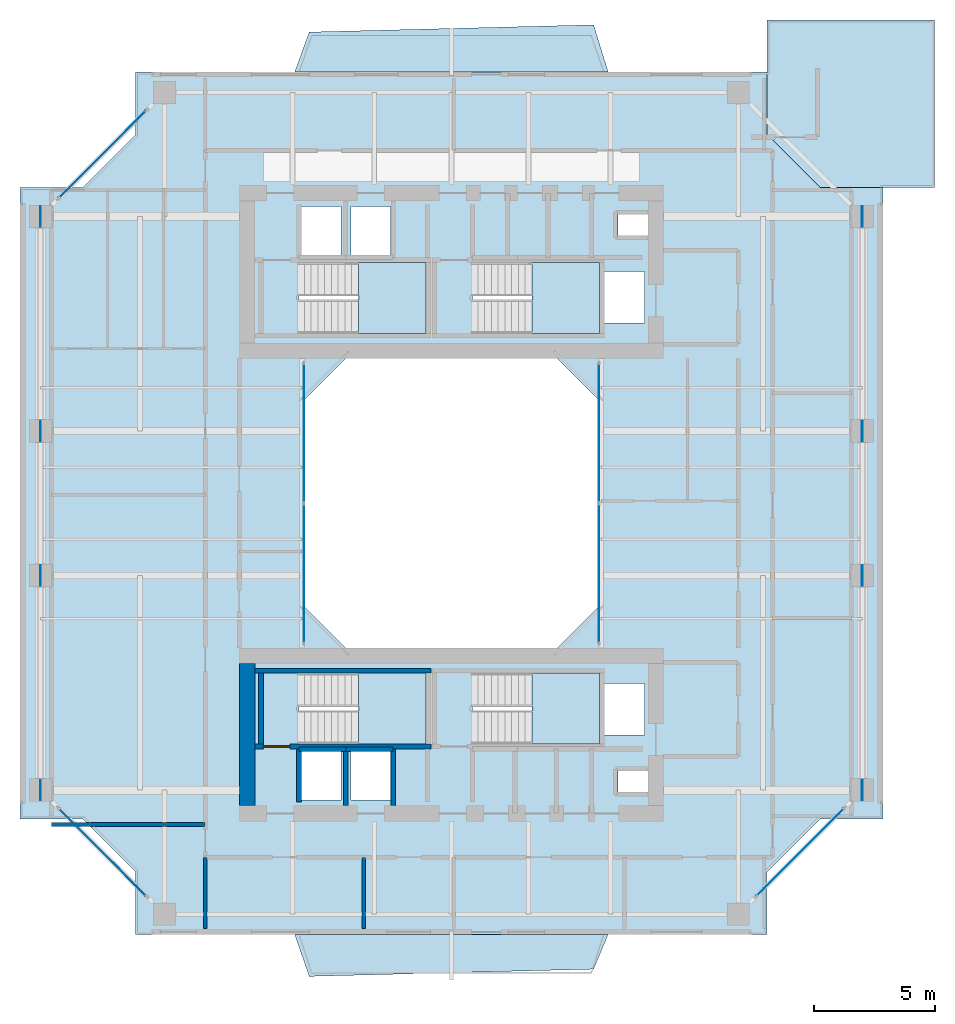
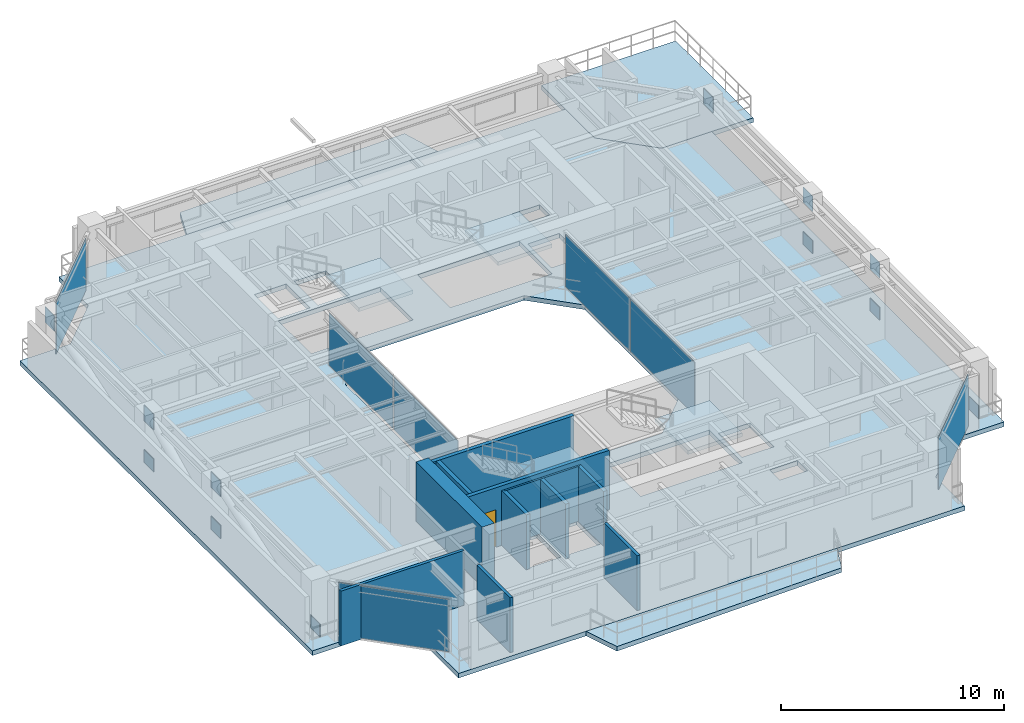
# One storey, part 7 of 14: 19 plates, 12 walls, 8 slabs, 1 door, 1 opening, 9 elements without a shape of their own.
"""IFC4 building model written with IfcOpenShell, lengths in metres."""

import ifcopenshell
import ifcopenshell.guid

model = None  # the IFC model being written
_history = None  # IfcOwnerHistory: only IFC2X3 demands one
_inside = {}  # id of a spatial element -> (the spatial element, [elements in it])
_under = {}  # id of a project, library or spatial element -> (it, [spatial elements below it])
_declared = {}  # id of a project -> (the project, [libraries it declares])
_typed = {}  # id of a type object -> (the type object, [elements of that type])
_made_of = {}  # id of a material, layer set ... -> (it, [elements and type objects made of it])


def new_model(schema):
    """Start an empty IFC model of exactly this schema.

    Asked for "IFC4X3", IfcOpenShell would pick the latest addendum, in which some entities
    have other attributes; the version numbers below select the first issue.
    IFC2X3 requires an IfcOwnerHistory on every rooted entity: one is made here for all.
    """
    global model, _history
    if schema == "IFC4X3":
        model = ifcopenshell.file(schema_version=(4, 3, 0, 0))
    else:
        model = ifcopenshell.file(schema=schema)
    _inside.clear()
    _under.clear()
    _declared.clear()
    _typed.clear()
    _made_of.clear()
    _history = None
    if model.schema == "IFC2X3":
        org = make("IfcOrganization", Name="unknown")
        user = make(
            "IfcPersonAndOrganization",
            ThePerson=make("IfcPerson", FamilyName="unknown"),
            TheOrganization=org,
        )
        app = make(
            "IfcApplication",
            ApplicationDeveloper=org,
            Version="unknown",
            ApplicationFullName="unknown",
            ApplicationIdentifier="unknown",
        )
        _history = make(
            "IfcOwnerHistory",
            OwningUser=user,
            OwningApplication=app,
            ChangeAction="ADDED",
            CreationDate=0,
        )
    return model


def make(cls, **values):
    """One entity of the class cls with the attributes given. An attribute that is None is left unset."""
    return model.create_entity(
        cls, **{name: value for name, value in values.items() if value is not None}
    )


def rooted(cls, **values):
    """An entity with a GlobalId (a new one), such as an element, a storey or a relation."""
    return make(cls, GlobalId=ifcopenshell.guid.new(), OwnerHistory=_history, **values)


def si_unit(unit_type, name, prefix=None):
    """IfcSIUnit, for example si_unit("LENGTHUNIT", "METRE", prefix="MILLI")."""
    return make("IfcSIUnit", UnitType=unit_type, Prefix=prefix, Name=name)


def assignment(units):
    """IfcUnitAssignment: the units of a project."""
    return None if units is None else make("IfcUnitAssignment", Units=units)


def point(xyz):
    """IfcCartesianPoint."""
    return None if xyz is None else make("IfcCartesianPoint", Coordinates=xyz)


def direction(xyz):
    """IfcDirection."""
    return None if xyz is None else make("IfcDirection", DirectionRatios=xyz)


def frame(location, z_axis=None, x_axis=None):
    """IfcAxis2Placement3D, a coordinate frame: its origin and axes. An axis left out is left unset."""
    return make(
        "IfcAxis2Placement3D",
        Location=point(location),
        Axis=direction(z_axis),
        RefDirection=direction(x_axis),
    )


def frame_2d(location, x_axis=None):
    """IfcAxis2Placement2D, a coordinate frame in the plane: its origin and x axis."""
    return make(
        "IfcAxis2Placement2D", Location=point(location), RefDirection=direction(x_axis)
    )


def origin():
    """The frame at (0, 0, 0) with its axes left unset."""
    return frame((0.0, 0.0, 0.0))


def origin_2d():
    """The frame at (0, 0) in the plane with its x axis left unset."""
    return frame_2d((0.0, 0.0))


def place(relative_to, where):
    """IfcLocalPlacement: puts the frame where relative to a parent placement (None: the world)."""
    return make(
        "IfcLocalPlacement", PlacementRelTo=relative_to, RelativePlacement=where
    )


def context(
    kind, dimensions, precision=None, world=None, true_north=None, identifier=None
):
    """IfcGeometricRepresentationContext, for example the 3D "Model" context."""
    return make(
        "IfcGeometricRepresentationContext",
        ContextIdentifier=identifier,
        ContextType=kind,
        CoordinateSpaceDimension=dimensions,
        Precision=precision,
        WorldCoordinateSystem=world,
        TrueNorth=true_north,
    )


def subcontext(parent, identifier, kind, view, scale=None):
    """IfcGeometricRepresentationSubContext, for example "Body" below "Model"."""
    return make(
        "IfcGeometricRepresentationSubContext",
        ContextIdentifier=identifier,
        ContextType=kind,
        ParentContext=parent,
        TargetScale=scale,
        TargetView=view,
    )


def project(units=None, contexts=None):
    """IfcProject with its units and contexts."""
    return rooted(
        "IfcProject",
        Name="project",
        RepresentationContexts=contexts,
        UnitsInContext=assignment(units),
    )


def spatial(cls, under=None, at=None, **own):
    """A site, building, storey or space (cls), placed at a placement, below another one or the project."""
    s = rooted(cls, ObjectPlacement=at, **own)
    if under is not None:
        _under.setdefault(under.id(), (under, []))[1].append(s)
    return s


def polyline(points):
    """IfcPolyline through the points."""
    return make("IfcPolyline", Points=[point(p) for p in points])


def profile(cls, at=None, kind="AREA", **sizes):
    """A parametric profile (cls). Its sizes go by their IFC names, for example OverallWidth=200.0."""
    return make(cls, ProfileType=kind, Position=at, **sizes)


def rectangle(**sizes):
    """IfcRectangleProfileDef."""
    return profile("IfcRectangleProfileDef", **sizes)


def outline(outer, holes=None, kind="AREA"):
    """IfcArbitraryClosedProfileDef: a profile drawn as a closed curve; with holes, ...WithVoids."""
    if holes is None:
        return make("IfcArbitraryClosedProfileDef", ProfileType=kind, OuterCurve=outer)
    return make(
        "IfcArbitraryProfileDefWithVoids",
        ProfileType=kind,
        OuterCurve=outer,
        InnerCurves=holes,
    )


def extrude(swept, where, along, depth):
    """IfcExtrudedAreaSolid: the profile swept, set in the frame where, extruded along a direction by depth."""
    return make(
        "IfcExtrudedAreaSolid",
        SweptArea=swept,
        Position=where,
        ExtrudedDirection=direction(along),
        Depth=depth,
    )


def shape(context_of_items, identifier, shape_type, items):
    """IfcShapeRepresentation: the items that make up one representation, for example the "Body"."""
    return make(
        "IfcShapeRepresentation",
        ContextOfItems=context_of_items,
        RepresentationIdentifier=identifier,
        RepresentationType=shape_type,
        Items=items,
    )


def source(mapping_origin, context_of_items, identifier, shape_type, items):
    """IfcRepresentationMap: a shape defined once, which mapped items show again and again."""
    return make(
        "IfcRepresentationMap",
        MappingOrigin=mapping_origin,
        MappedRepresentation=shape(context_of_items, identifier, shape_type, items),
    )


def transform(
    local_origin,
    x_axis=None,
    y_axis=None,
    z_axis=None,
    scale=None,
    scale2=None,
    scale3=None,
    uniform=True,
):
    """IfcCartesianTransformationOperator3D, or its non-uniform kind. x_axis, y_axis, z_axis: its Axis1, 2, 3."""
    if uniform:
        return make(
            "IfcCartesianTransformationOperator3D",
            Axis1=direction(x_axis),
            Axis2=direction(y_axis),
            LocalOrigin=point(local_origin),
            Scale=scale,
            Axis3=direction(z_axis),
        )
    return make(
        "IfcCartesianTransformationOperator3DnonUniform",
        Axis1=direction(x_axis),
        Axis2=direction(y_axis),
        LocalOrigin=point(local_origin),
        Scale=scale,
        Axis3=direction(z_axis),
        Scale2=scale2,
        Scale3=scale3,
    )


def mapped(mapping_source, mapping_target):
    """IfcMappedItem: shows the shape of a source again, moved by a transform."""
    return make(
        "IfcMappedItem", MappingSource=mapping_source, MappingTarget=mapping_target
    )


def material(Name=None, Category=None):
    """IfcMaterial."""
    return make("IfcMaterial", Name=Name, Category=Category)


def layer(
    of_material, thickness, ventilated=None, Name=None, Category=None, Priority=None
):
    """IfcMaterialLayer: one layer of a wall or slab, of a material (None: an air gap)."""
    return make(
        "IfcMaterialLayer",
        Material=of_material,
        LayerThickness=thickness,
        IsVentilated=ventilated,
        Name=Name,
        Category=Category,
        Priority=Priority,
    )


def layer_set(layers, Name=None):
    """IfcMaterialLayerSet."""
    return make("IfcMaterialLayerSet", MaterialLayers=layers, LayerSetName=Name)


def made_of(thing, what):
    """Note that an element or type object is made of a material, layer set ...; save() writes the relation."""
    if what is not None:
        _made_of.setdefault(what.id(), (what, []))[1].append(thing)
    return thing


def type_object(cls, material=None, **own):
    """A type object (cls), such as IfcWallType, which elements share."""
    return made_of(rooted(cls, **own), material)


def element(
    cls,
    number,
    at=None,
    inside=None,
    cuts=None,
    type_object=None,
    material=None,
    context=None,
    identifier="Body",
    shape_type=None,
    held_by="IfcProductDefinitionShape",
    body=None,
    shapes=None,
    **own,
):
    """One element of the class cls, such as IfcWall. Its Tag is "e" and its number.

    at: its placement. inside: the storey or other place that contains it. cuts: it is an
    opening in that element (IfcRelVoidsElement). A single representation is given by context,
    identifier, shape_type and body (its items); several are given by shapes. held_by: the class
    of the entity that holds the representations. save() writes the other relations.
    """
    e = rooted(cls, Tag="e%d" % number, ObjectPlacement=at, **own)
    if body is not None:
        shapes = [shape(context, identifier, shape_type, body)]
    if shapes is not None:
        e.Representation = make(held_by, Representations=shapes)
    if inside is not None:
        _inside.setdefault(inside.id(), (inside, []))[1].append(e)
    if cuts is not None:
        rooted(
            "IfcRelVoidsElement", RelatingBuildingElement=cuts, RelatedOpeningElement=e
        )
    if type_object is not None:
        _typed.setdefault(type_object.id(), (type_object, []))[1].append(e)
    return made_of(e, material)


def fill(opening, filler):
    """IfcRelFillsElement: the door or window that sits in an opening."""
    return rooted(
        "IfcRelFillsElement",
        RelatingOpeningElement=opening,
        RelatedBuildingElement=filler,
    )


def aggregate(whole, parts):
    """IfcRelAggregates: a whole, such as a stair, and the parts it consists of."""
    return rooted("IfcRelAggregates", RelatingObject=whole, RelatedObjects=parts)


def save(model, path):
    """Write the relations noted so far, then the file.

    IfcRelAggregates (storeys below a building ...), IfcRelContainedInSpatialStructure (elements
    in a storey), IfcRelDefinesByType, IfcRelAssociatesMaterial and IfcRelDeclares: one each for
    every whole, place, type object, material and project.
    """
    for whole, parts in _under.values():
        aggregate(whole, parts)
    for where, things in _inside.values():
        rooted(
            "IfcRelContainedInSpatialStructure",
            RelatedElements=things,
            RelatingStructure=where,
        )
    for kind, things in _typed.values():
        rooted("IfcRelDefinesByType", RelatedObjects=things, RelatingType=kind)
    for what, things in _made_of.values():
        rooted("IfcRelAssociatesMaterial", RelatedObjects=things, RelatingMaterial=what)
    for by, libraries in _declared.values():
        rooted("IfcRelDeclares", RelatingContext=by, RelatedDefinitions=libraries)
    model.write(path)


model = new_model("IFC4")

# Units and contexts
model_context = context("Model", 3, precision=1e-05, world=origin(), true_north=direction((0.0, 1.0)))
body_context = subcontext(model_context, "Body", "Model", "MODEL_VIEW")
ifc_project = project(units=[si_unit("LENGTHUNIT", "METRE"), si_unit("AREAUNIT", "SQUARE_METRE"), si_unit("VOLUMEUNIT", "CUBIC_METRE"), si_unit("PLANEANGLEUNIT", "RADIAN"), si_unit("MASSUNIT", "GRAM", prefix="KILO"), si_unit("THERMODYNAMICTEMPERATUREUNIT", "KELVIN"), si_unit("POWERUNIT", "WATT")], contexts=[model_context])

# Site, building, storey
site_placement = place(None, origin())
site = spatial("IfcSite", under=ifc_project, at=site_placement, CompositionType="ELEMENT")
building_placement = place(site_placement, origin())
building = spatial("IfcBuilding", under=site, at=building_placement, Name="Qiaomeng Ring Towers", CompositionType="ELEMENT")
storey_placement = place(building_placement, frame((0.0, 0.0, 173.0)))
storey = spatial("IfcBuildingStorey", under=building, at=storey_placement, Name="L50", CompositionType="ELEMENT", Elevation=173.0)

# Slabs
ifc_material_1 = material(Name="Concrete C40", Category="concrete")
ifc_layer_1 = layer(ifc_material_1, 0.25, Name="Concrete C40")
ifc_layer_set_1 = layer_set([ifc_layer_1], Name="Concrete C40")
slab_type_1 = type_object("IfcSlabType", Name="STR-SL-250", PredefinedType="FLOOR", material=ifc_layer_set_1)
slab_1_placement = place(storey_placement, frame((0.0, 0.0, -0.25)))
element("IfcSlab", 1, at=slab_1_placement, inside=storey, type_object=slab_type_1, Name="L50 Tower 1 Annular Floor Slab", PredefinedType="FLOOR", context=body_context, shape_type="SweptSolid", body=[
    extrude(outline(polyline([(5.89990234375, 5.10009765625), (32.10009765625, 5.10009765625), (32.10009765625, 7.699951171875), (34.300048828125, 9.89990234375), (36.89990234375, 9.89990234375), (36.89990234375, 36.10009765625), (34.300048828125, 36.10009765625), (32.10009765625, 38.300048828125), (32.10009765625, 40.89990234375), (5.89990234375, 40.89990234375), (5.89990234375, 38.300048828125), (3.699951171875, 36.10009765625), (1.10009765625, 36.10009765625), (1.10009765625, 9.89990234375), (3.699951171875, 9.89990234375), (5.89990234375, 7.699951171875), (5.89990234375, 5.10009765625)]), holes=[polyline([(12.780029296875, 10.679931640625), (12.780029296875, 12.820068359375), (14.419921875, 12.820068359375), (14.419921875, 10.679931640625), (12.780029296875, 10.679931640625)]), polyline([(14.830078125, 12.820068359375), (16.469970703125, 12.820068359375), (16.469970703125, 10.679931640625), (14.830078125, 10.679931640625), (14.830078125, 12.820068359375)]), polyline([(12.679931640625, 15.949951171875), (17.949951171875, 15.949951171875), (17.949951171875, 13.010009765625), (12.679931640625, 13.010009765625), (12.679931640625, 15.949951171875)]), polyline([(23.199951171875, 29.199951171875), (25.199951171875, 27.199951171875), (25.199951171875, 18.800048828125), (23.199951171875, 16.800048828125), (14.800048828125, 16.800048828125), (12.800048828125, 18.800048828125), (12.800048828125, 27.199951171875), (14.800048828125, 29.199951171875), (23.199951171875, 29.199951171875)]), polyline([(12.679931640625, 32.989990234375), (17.949951171875, 32.989990234375), (17.949951171875, 30.050048828125), (12.679931640625, 30.050048828125), (12.679931640625, 32.989990234375)]), polyline([(12.780029296875, 35.320068359375), (14.419921875, 35.320068359375), (14.419921875, 33.179931640625), (12.780029296875, 33.179931640625), (12.780029296875, 35.320068359375)]), polyline([(14.830078125, 33.179931640625), (14.830078125, 35.320068359375), (16.469970703125, 35.320068359375), (16.469970703125, 33.179931640625), (14.830078125, 33.179931640625)]), polyline([(25.919921875, 11.89990234375), (27.360107421875, 11.89990234375), (27.360107421875, 11.0), (25.919921875, 11.0), (25.919921875, 11.89990234375)]), polyline([(25.360107421875, 15.52001953125), (27.0, 15.52001953125), (27.0, 13.3798828125), (25.360107421875, 13.3798828125), (25.360107421875, 15.52001953125)]), polyline([(19.8798828125, 15.949951171875), (25.14990234375, 15.949951171875), (25.14990234375, 13.010009765625), (19.8798828125, 13.010009765625), (19.8798828125, 15.949951171875)]), polyline([(19.8798828125, 32.989990234375), (25.14990234375, 32.989990234375), (25.14990234375, 30.050048828125), (19.8798828125, 30.050048828125), (19.8798828125, 32.989990234375)]), polyline([(25.360107421875, 32.6201171875), (27.0, 32.6201171875), (27.0, 30.47998046875), (25.360107421875, 30.47998046875), (25.360107421875, 32.6201171875)]), polyline([(25.919921875, 35.0), (27.360107421875, 35.0), (27.360107421875, 34.10009765625), (25.919921875, 34.10009765625), (25.919921875, 35.0)])]), origin(), (0.0, 0.0, 1.0), 0.25),
])
slab_2_placement = place(storey_placement, frame((0.0, 0.0, -0.25)))
element("IfcSlab", 2, at=slab_2_placement, inside=storey, type_object=slab_type_1, Name="L50 Spiralling Corner Sky Terrace NE", PredefinedType="FLOOR", context=body_context, shape_type="SweptSolid", body=[
    extrude(outline(polyline([(32.10009765625, 43.050048828125), (39.050048828125, 43.050048828125), (39.050048828125, 36.10009765625), (36.89990234375, 36.10009765625), (34.300048828125, 36.10009765625), (32.10009765625, 38.300048828125), (32.10009765625, 40.89990234375), (32.10009765625, 43.050048828125)])), origin(), (0.0, 0.0, 1.0), 0.25),
])
ifc_layer_2 = layer(ifc_material_1, 0.25, Name="Concrete C40")
ifc_layer_set_2 = layer_set([ifc_layer_2], Name="Concrete C40")
slab_type_2 = type_object("IfcSlabType", Name="STR-SL-BAL250", PredefinedType="FLOOR", material=ifc_layer_set_2)
slab_3_placement = place(storey_placement, frame((0.0, 0.0, -0.25)))
element("IfcSlab", 3, at=slab_3_placement, inside=storey, type_object=slab_type_2, Name="L50 Tower 1 S Faceted Balcony Slab", PredefinedType="FLOOR", context=body_context, shape_type="SweptSolid", body=[
    extrude(outline(polyline([(24.89990234375, 3.669921875), (13.10009765625, 3.3701171875), (12.5, 5.10009765625), (25.5, 5.10009765625), (24.89990234375, 3.669921875)])), origin(), (0.0, 0.0, 1.0), 0.25),
])
slab_4_placement = place(storey_placement, frame((0.0, 0.0, -0.25)))
element("IfcSlab", 4, at=slab_4_placement, inside=storey, type_object=slab_type_2, Name="L50 Tower 1 N Faceted Balcony Slab", PredefinedType="FLOOR", context=body_context, shape_type="SweptSolid", body=[
    extrude(outline(polyline([(12.5, 40.89990234375), (13.10009765625, 42.550048828125), (24.89990234375, 42.85009765625), (25.5, 40.89990234375), (12.5, 40.89990234375)])), origin(), (0.0, 0.0, 1.0), 0.25),
])

# Stair, slab
ifc_material_2 = material(Name="Precast concrete C40", Category="concrete")
stair_type = type_object("IfcStairType", Name="ARC-ST-325", PredefinedType="HALF_TURN_STAIR", material=ifc_material_2)
stair_1_placement = place(storey_placement, origin())
stair_1 = element("IfcStair", 5, at=stair_1_placement, inside=storey, type_object=stair_type, Name="L50 Tower 1 North Stair 1", PredefinedType="HALF_TURN_STAIR")
ifc_layer_3 = layer(ifc_material_1, 0.199951171875, Name="Concrete C40")
ifc_layer_set_3 = layer_set([ifc_layer_3], Name="Concrete C40")
slab_type_3 = type_object("IfcSlabType", Name="STR-SL-LANDING", PredefinedType="LANDING", material=ifc_layer_set_3)
slab_5_placement = place(storey_placement, frame((0.0, 0.0, 1.425048828125)))
slab_5 = element("IfcSlab", 6, at=slab_5_placement, type_object=slab_type_3, Name="ST1 landing 1", PredefinedType="LANDING", context=body_context, shape_type="SweptSolid", body=[
    extrude(outline(polyline([(15.139892578125, 30.050048828125), (17.949951171875, 30.050048828125), (17.949951171875, 32.989990234375), (15.139892578125, 32.989990234375), (15.139892578125, 30.050048828125)])), origin(), (0.0, 0.0, 1.0), 0.199951171875),
])
aggregate(stair_1, [slab_5])

stair_2_placement = place(storey_placement, origin())
stair_2 = element("IfcStair", 7, at=stair_2_placement, inside=storey, type_object=stair_type, Name="L50 Tower 1 North Stair 2", PredefinedType="HALF_TURN_STAIR")
slab_6_placement = place(storey_placement, frame((0.0, 0.0, 1.425048828125)))
slab_6 = element("IfcSlab", 8, at=slab_6_placement, type_object=slab_type_3, Name="ST2 landing 1", PredefinedType="LANDING", context=body_context, shape_type="SweptSolid", body=[
    extrude(outline(polyline([(22.340087890625, 30.050048828125), (25.14990234375, 30.050048828125), (25.14990234375, 32.989990234375), (22.340087890625, 32.989990234375), (22.340087890625, 30.050048828125)])), origin(), (0.0, 0.0, 1.0), 0.199951171875),
])
aggregate(stair_2, [slab_6])

stair_3_placement = place(storey_placement, origin())
stair_3 = element("IfcStair", 9, at=stair_3_placement, inside=storey, type_object=stair_type, Name="L50 Tower 1 South Stair 3", PredefinedType="HALF_TURN_STAIR")
slab_7_placement = place(storey_placement, frame((0.0, 0.0, 1.425048828125)))
slab_7 = element("IfcSlab", 10, at=slab_7_placement, type_object=slab_type_3, Name="ST3 landing 1", PredefinedType="LANDING", context=body_context, shape_type="SweptSolid", body=[
    extrude(outline(polyline([(15.139892578125, 13.010009765625), (17.949951171875, 13.010009765625), (17.949951171875, 15.949951171875), (15.139892578125, 15.949951171875), (15.139892578125, 13.010009765625)])), origin(), (0.0, 0.0, 1.0), 0.199951171875),
])
aggregate(stair_3, [slab_7])

stair_4_placement = place(storey_placement, origin())
stair_4 = element("IfcStair", 11, at=stair_4_placement, inside=storey, type_object=stair_type, Name="L50 Tower 1 South Stair 4", PredefinedType="HALF_TURN_STAIR")
slab_8_placement = place(storey_placement, frame((0.0, 0.0, 1.425048828125)))
slab_8 = element("IfcSlab", 12, at=slab_8_placement, type_object=slab_type_3, Name="ST4 landing 1", PredefinedType="LANDING", context=body_context, shape_type="SweptSolid", body=[
    extrude(outline(polyline([(22.340087890625, 13.010009765625), (25.14990234375, 13.010009765625), (25.14990234375, 15.949951171875), (22.340087890625, 15.949951171875), (22.340087890625, 13.010009765625)])), origin(), (0.0, 0.0, 1.0), 0.199951171875),
])
aggregate(stair_4, [slab_8])

# Plates
ifc_material_3 = material(Name="Steel Q390GJC", Category="steel")
ifc_layer_4 = layer(ifc_material_3, 0.031982421875, Name="Steel Q390GJC")
ifc_layer_set_4 = layer_set([ifc_layer_4], Name="Steel Q390GJC")
plate_type_1 = type_object("IfcPlateType", Name="STR-PL-GUSSET", PredefinedType="USERDEFINED", material=ifc_layer_set_4)
shared_shape_1 = source(origin(), body_context, "Body", "SweptSolid", [
    extrude(rectangle(XDim=0.031982421875, YDim=0.85009765625, at=origin_2d()), origin(), (0.0, 0.0, 1.0), 0.85009765625),
])
for number, where, z_axis, x_axis, name in (
    (13, (1.949951171875, 11.10009765625, -0.14501953125), (0.0, 0.0, 1.0), (1.0, 0.0, 0.0), "L50 Portal Truss Bottom Gusset Plate W-0"),
    (14, (1.949951171875, 20.0, 2.294921875), (0.0, 0.0, 1.0), (1.0, 0.0, 0.0), "L50 Portal Truss Top Gusset Plate W-0"),
    (15, (1.949951171875, 20.0, -0.14501953125), (0.0, 0.0, 1.0), (1.0, 0.0, 0.0), "L50 Portal Truss Bottom Gusset Plate W-1"),
    (16, (1.949951171875, 26.0, 2.294921875), (0.0, 0.0, 1.0), (1.0, 0.0, 0.0), "L50 Portal Truss Top Gusset Plate W-1"),
    (17, (1.949951171875, 26.0, -0.14501953125), (0.0, 0.0, 1.0), (1.0, 0.0, 0.0), "L50 Portal Truss Bottom Gusset Plate W-2"),
    (18, (1.949951171875, 34.89990234375, 2.294921875), (0.0, 0.0, 1.0), (1.0, 0.0, 0.0), "L50 Portal Truss Top Gusset Plate W-2"),
    (19, (36.050048828125, 11.10009765625, -0.14501953125), (0.0, 0.0, 1.0), (1.0, 0.0, 0.0), "L50 Portal Truss Bottom Gusset Plate E-0"),
    (20, (36.050048828125, 20.0, 2.294921875), (0.0, 0.0, 1.0), (1.0, 0.0, 0.0), "L50 Portal Truss Top Gusset Plate E-0"),
    (21, (36.050048828125, 20.0, -0.14501953125), (0.0, 0.0, 1.0), (1.0, 0.0, 0.0), "L50 Portal Truss Bottom Gusset Plate E-1"),
    (22, (36.050048828125, 26.0, 2.294921875), (0.0, 0.0, 1.0), (1.0, 0.0, 0.0), "L50 Portal Truss Top Gusset Plate E-1"),
    (23, (36.050048828125, 26.0, -0.14501953125), (0.0, 0.0, 1.0), (1.0, 0.0, 0.0), "L50 Portal Truss Bottom Gusset Plate E-2"),
    (24, (36.050048828125, 34.89990234375, 2.294921875), (0.0, 0.0, 1.0), (1.0, 0.0, 0.0), "L50 Portal Truss Top Gusset Plate E-2"),
):
    element("IfcPlate", number, at=place(storey_placement, frame(where, z_axis=z_axis, x_axis=x_axis)), inside=storey, type_object=plate_type_1, Name=name, ObjectType="GUSSET PLATE", PredefinedType="USERDEFINED", context=body_context, shape_type="MappedRepresentation", body=[
        mapped(shared_shape_1, transform((0.0, 0.0, 0.0), x_axis=(1.0, 0.0, 0.0), y_axis=(0.0, 1.0, 0.0), z_axis=(0.0, 0.0, 1.0), scale=1.0)),
    ])

# Curtain wall, plate
ifc_material_4 = material(Name="Fluorocarbon dark-grey aluminium", Category="aluminium")
ifc_layer_5 = layer(ifc_material_4, 0.14990234375, Name="Fluorocarbon dark-grey aluminium")
ifc_layer_set_5 = layer_set([ifc_layer_5], Name="Fluorocarbon dark-grey aluminium")
curtain_wall_type_1 = type_object("IfcCurtainWallType", Name="ARC-CW-3", PredefinedType="NOTDEFINED", material=ifc_layer_set_5)
curtain_wall_1_placement = place(storey_placement, origin())
curtain_wall_1 = element("IfcCurtainWall", 25, at=curtain_wall_1_placement, inside=storey, type_object=curtain_wall_type_1, Name="L50 Curtain Wall CW3", PredefinedType="NOTDEFINED")
ifc_material_5 = material(Name="Low-E dark-grey laminated double glazing", Category="glass")
ifc_layer_6 = layer(ifc_material_5, 0.028076171875, Name="Low-E dark-grey laminated double glazing")
ifc_layer_set_6 = layer_set([ifc_layer_6], Name="Low-E dark-grey laminated double glazing")
plate_type_2 = type_object("IfcPlateType", Name="ARC-CWP-DARK", PredefinedType="CURTAIN_PANEL", material=ifc_layer_set_6)
shared_shape_2 = source(origin(), body_context, "Body", "SweptSolid", [
    extrude(rectangle(XDim=5.120849609375, YDim=0.028076171875, at=origin_2d()), origin(), (0.0, 0.0, 1.0), 2.8701171875),
])
plate_1_placement = place(storey_placement, frame((33.47509765625, 8.52490234375, 0.06494140625), z_axis=(0.0, 0.0, 1.0), x_axis=(0.707106781187, 0.707106781187, 0.0)))
plate_1 = element("IfcPlate", 26, at=plate_1_placement, type_object=plate_type_2, Name="CW3 panel 1.1", PredefinedType="CURTAIN_PANEL", context=body_context, shape_type="MappedRepresentation", body=[
    mapped(shared_shape_2, transform((0.0, 0.0, 0.0), x_axis=(1.0, 0.0, 0.0), y_axis=(0.0, 1.0, 0.0), z_axis=(0.0, 0.0, 1.0), scale=1.0)),
])
aggregate(curtain_wall_1, [plate_1])

curtain_wall_2_placement = place(storey_placement, origin())
curtain_wall_2 = element("IfcCurtainWall", 27, at=curtain_wall_2_placement, inside=storey, type_object=curtain_wall_type_1, Name="L50 Curtain Wall CW3", PredefinedType="NOTDEFINED")
plate_2_placement = place(storey_placement, frame((4.52490234375, 37.47509765625, 0.06494140625), z_axis=(0.0, 0.0, 1.0), x_axis=(-0.707106781187, -0.707106781187, 0.0)))
plate_2 = element("IfcPlate", 28, at=plate_2_placement, type_object=plate_type_2, Name="CW3 panel 1.1", PredefinedType="CURTAIN_PANEL", context=body_context, shape_type="MappedRepresentation", body=[
    mapped(shared_shape_2, transform((0.0, 0.0, 0.0), x_axis=(1.0, 0.0, 0.0), y_axis=(0.0, 1.0, 0.0), z_axis=(0.0, 0.0, 1.0), scale=1.0)),
])
aggregate(curtain_wall_2, [plate_2])

curtain_wall_3_placement = place(storey_placement, origin())
curtain_wall_3 = element("IfcCurtainWall", 29, at=curtain_wall_3_placement, inside=storey, type_object=curtain_wall_type_1, Name="L50 Curtain Wall CW3", PredefinedType="NOTDEFINED")
plate_3_placement = place(storey_placement, frame((4.52490234375, 8.52490234375, 0.06494140625), z_axis=(0.0, 0.0, 1.0), x_axis=(0.707106781187, -0.707106781187, 0.0)))
plate_3 = element("IfcPlate", 30, at=plate_3_placement, type_object=plate_type_2, Name="CW3 panel 1.1", PredefinedType="CURTAIN_PANEL", context=body_context, shape_type="MappedRepresentation", body=[
    mapped(shared_shape_2, transform((0.0, 0.0, 0.0), x_axis=(1.0, 0.0, 0.0), y_axis=(0.0, 1.0, 0.0), z_axis=(0.0, 0.0, 1.0), scale=1.0)),
])
aggregate(curtain_wall_3, [plate_3])

# Curtain wall, plates
ifc_layer_7 = layer(ifc_material_4, 0.139892578125, Name="Fluorocarbon dark-grey aluminium")
ifc_layer_set_7 = layer_set([ifc_layer_7], Name="Fluorocarbon dark-grey aluminium")
curtain_wall_type_2 = type_object("IfcCurtainWallType", Name="ARC-CW-4", PredefinedType="NOTDEFINED", material=ifc_layer_set_7)
curtain_wall_4_placement = place(storey_placement, origin())
curtain_wall_4 = element("IfcCurtainWall", 31, at=curtain_wall_4_placement, inside=storey, type_object=curtain_wall_type_2, Name="L50 Curtain Wall CW4", PredefinedType="NOTDEFINED")
shared_shape_3 = source(origin(), body_context, "Body", "SweptSolid", [
    extrude(rectangle(XDim=5.75244140625, YDim=0.028076171875, at=origin_2d()), origin(), (0.0, 0.0, 1.0), 2.8701171875),
])
plate_4_placement = place(storey_placement, frame((12.8798828125, 20.09130859375, 0.06494140625), z_axis=(0.0, 0.0, 1.0), x_axis=(0.0, 1.0, 0.0)))
plate_4 = element("IfcPlate", 32, at=plate_4_placement, type_object=plate_type_2, Name="CW4 panel 1.1", PredefinedType="CURTAIN_PANEL", context=body_context, shape_type="MappedRepresentation", body=[
    mapped(shared_shape_3, transform((0.0, 0.0, 0.0), x_axis=(1.0, 0.0, 0.0), y_axis=(0.0, 1.0, 0.0), z_axis=(0.0, 0.0, 1.0), scale=1.0)),
])
plate_5_placement = place(storey_placement, frame((12.8798828125, 25.90869140625, 0.06494140625), z_axis=(0.0, 0.0, 1.0), x_axis=(0.0, 1.0, 0.0)))
plate_5 = element("IfcPlate", 33, at=plate_5_placement, type_object=plate_type_2, Name="CW4 panel 2.1", PredefinedType="CURTAIN_PANEL", context=body_context, shape_type="MappedRepresentation", body=[
    mapped(shared_shape_3, transform((0.0, 0.0, 0.0), x_axis=(1.0, 0.0, 0.0), y_axis=(0.0, 1.0, 0.0), z_axis=(0.0, 0.0, 1.0), scale=1.0)),
])
aggregate(curtain_wall_4, [plate_4, plate_5])

curtain_wall_5_placement = place(storey_placement, origin())
curtain_wall_5 = element("IfcCurtainWall", 34, at=curtain_wall_5_placement, inside=storey, type_object=curtain_wall_type_2, Name="L50 Curtain Wall CW4", PredefinedType="NOTDEFINED")
plate_6_placement = place(storey_placement, frame((25.1201171875, 20.09130859375, 0.06494140625), z_axis=(0.0, 0.0, 1.0), x_axis=(0.0, 1.0, 0.0)))
plate_6 = element("IfcPlate", 35, at=plate_6_placement, type_object=plate_type_2, Name="CW4 panel 1.1", PredefinedType="CURTAIN_PANEL", context=body_context, shape_type="MappedRepresentation", body=[
    mapped(shared_shape_3, transform((0.0, 0.0, 0.0), x_axis=(1.0, 0.0, 0.0), y_axis=(0.0, 1.0, 0.0), z_axis=(0.0, 0.0, 1.0), scale=1.0)),
])
plate_7_placement = place(storey_placement, frame((25.1201171875, 25.90869140625, 0.06494140625), z_axis=(0.0, 0.0, 1.0), x_axis=(0.0, 1.0, 0.0)))
plate_7 = element("IfcPlate", 36, at=plate_7_placement, type_object=plate_type_2, Name="CW4 panel 2.1", PredefinedType="CURTAIN_PANEL", context=body_context, shape_type="MappedRepresentation", body=[
    mapped(shared_shape_3, transform((0.0, 0.0, 0.0), x_axis=(1.0, 0.0, 0.0), y_axis=(0.0, 1.0, 0.0), z_axis=(0.0, 0.0, 1.0), scale=1.0)),
])
aggregate(curtain_wall_5, [plate_6, plate_7])

# Walls
ifc_material_6 = material(Name="Autoclaved aerated concrete block", Category="concrete")
ifc_layer_8 = layer(ifc_material_6, 0.199951171875, Name="Autoclaved aerated concrete block")
ifc_layer_set_8 = layer_set([ifc_layer_8], Name="Autoclaved aerated concrete block")
wall_type_1 = type_object("IfcWallType", Name="ARC-WL-PW1", PredefinedType="PARTITIONING", material=ifc_layer_set_8)
wall_1_placement = place(storey_placement, frame((12.679931640625, 10.60009765625, 0.0), z_axis=(0.0, 0.0, 1.0), x_axis=(0.0, 1.0, 0.0)))
element("IfcWall", 37, at=wall_1_placement, inside=storey, type_object=wall_type_1, Name="L50 Interior Wall PW1", PredefinedType="PARTITIONING", context=body_context, shape_type="SweptSolid", body=[
    extrude(rectangle(XDim=2.2099609375, YDim=0.199951171875, at=frame_2d((1.10498046875, 0.0))), origin(), (0.0, 0.0, 1.0), 3.0),
])
ifc_material_7 = material(Name="Gypsum fireboard steel-stud partition", Category="steel")
ifc_layer_9 = layer(ifc_material_7, 0.14990234375, Name="Gypsum fireboard steel-stud partition")
ifc_layer_set_9 = layer_set([ifc_layer_9], Name="Gypsum fireboard steel-stud partition")
wall_type_2 = type_object("IfcWallType", Name="ARC-WL-PW3", PredefinedType="PARTITIONING", material=ifc_layer_set_9)
for number, where, z_axis, x_axis, name in (
    (38, (15.360107421875, 5.35009765625, 0.0), (0.0, 0.0, 1.0), (0.0, 1.0, 0.0), "L50 Interior Wall PW3"),
    (39, (8.780029296875, 5.35009765625, 0.0), (0.0, 0.0, 1.0), (0.0, 1.0, 0.0), "L50 Interior Wall PW3"),
):
    element("IfcWall", number, at=place(storey_placement, frame(where, z_axis=z_axis, x_axis=x_axis)), inside=storey, type_object=wall_type_2, Name=name, PredefinedType="PARTITIONING", context=body_context, shape_type="SweptSolid", body=[
        extrude(rectangle(XDim=2.9599609375, YDim=0.14990234375, at=frame_2d((1.47998046875, 0.0))), origin(), (0.0, 0.0, 1.0), 3.0),
    ])
wall_2_placement = place(storey_placement, frame((2.39990234375, 9.669921875, 0.0), z_axis=(0.0, 0.0, 1.0), x_axis=(1.0, 0.0, 0.0)))
element("IfcWall", 40, at=wall_2_placement, inside=storey, type_object=wall_type_2, Name="L50 Interior Wall PW3", PredefinedType="PARTITIONING", context=body_context, shape_type="SweptSolid", body=[
    extrude(rectangle(XDim=6.380126953125, YDim=0.14990234375, at=frame_2d((3.18994140625, 0.0))), origin(), (0.0, 0.0, 1.0), 3.0),
])
ifc_layer_10 = layer(ifc_material_1, 0.199951171875, Name="Concrete C40")
ifc_layer_set_10 = layer_set([ifc_layer_10], Name="Concrete C40")
wall_type_3 = type_object("IfcWallType", Name="STR-WL-STSHAFT", PredefinedType="SHEAR", material=ifc_layer_set_10)
wall_3_placement = place(storey_placement, frame((12.679931640625, 12.800048828125, 0.0), z_axis=(0.0, 0.0, 1.0), x_axis=(1.0, 0.0, 0.0)))
element("IfcWall", 41, at=wall_3_placement, inside=storey, type_object=wall_type_3, Name="L50 Lift LP6 Shaft Back Wall", PredefinedType="SHEAR", context=body_context, shape_type="SweptSolid", body=[
    extrude(rectangle(XDim=1.940185546875, YDim=0.179931640625, at=frame_2d((0.97021484375, 0.0))), origin(), (0.0, 0.0, 1.0), 3.0),
])
wall_4_placement = place(storey_placement, frame((14.6201171875, 10.449951171875, 0.0), z_axis=(0.0, 0.0, 1.0), x_axis=(0.0, 1.0, 0.0)))
element("IfcWall", 42, at=wall_4_placement, inside=storey, type_object=wall_type_3, Name="L50 Lift LP6-LP4 Shaft Divider Wall", PredefinedType="SHEAR", context=body_context, shape_type="SweptSolid", body=[
    extrude(rectangle(XDim=2.35009765625, YDim=0.179931640625, at=frame_2d((1.175048828125, 0.0))), origin(), (0.0, 0.0, 1.0), 3.0),
])
wall_5_placement = place(storey_placement, frame((14.6201171875, 12.800048828125, 0.0), z_axis=(0.0, 0.0, 1.0), x_axis=(1.0, 0.0, 0.0)))
element("IfcWall", 43, at=wall_5_placement, inside=storey, type_object=wall_type_3, Name="L50 Lift LP4 Shaft Back Wall", PredefinedType="SHEAR", context=body_context, shape_type="SweptSolid", body=[
    extrude(rectangle(XDim=1.9599609375, YDim=0.179931640625, at=frame_2d((0.97998046875, 0.0))), origin(), (0.0, 0.0, 1.0), 3.0),
])
wall_6_placement = place(storey_placement, frame((16.580078125, 10.449951171875, 0.0), z_axis=(0.0, 0.0, 1.0), x_axis=(0.0, 1.0, 0.0)))
element("IfcWall", 44, at=wall_6_placement, inside=storey, type_object=wall_type_3, Name="L50 Lift LP4 East Shaft Wall", PredefinedType="SHEAR", context=body_context, shape_type="SweptSolid", body=[
    extrude(rectangle(XDim=2.35009765625, YDim=0.179931640625, at=frame_2d((1.175048828125, 0.0))), origin(), (0.0, 0.0, 1.0), 3.0),
])

# Wall, opening, door
wall_7_placement = place(storey_placement, frame((10.85009765625, 12.909912109375, 0.0), z_axis=(0.0, 0.0, 1.0), x_axis=(1.0, 0.0, 0.0)))
wall_7 = element("IfcWall", 45, at=wall_7_placement, inside=storey, type_object=wall_type_3, Name="L50 Stair ST3 South Shaft Shear Wall", PredefinedType="SHEAR", context=body_context, shape_type="SweptSolid", body=[
    extrude(rectangle(XDim=7.2998046875, YDim=0.199951171875, at=frame_2d((3.64990234375, 0.0))), origin(), (0.0, 0.0, 1.0), 3.25),
])
opening_placement = place(wall_7_placement, frame((0.35009765625, 0.0, 0.0)))
opening = element("IfcOpeningElement", 46, at=opening_placement, cuts=wall_7, Name="Opening FD3", PredefinedType="OPENING", context=body_context, shape_type="SweptSolid", body=[
    extrude(rectangle(XDim=1.10009765625, YDim=2.050048828125, at=frame_2d((0.550048828125, 1.02490234375))), frame((0.0, 0.10986328125, 0.0), z_axis=(0.0, -1.0, 0.0), x_axis=(1.0, 0.0, 0.0)), (0.0, 0.0, 1.0), 0.219970703125),
])
ifc_material_8 = material(Name="Galvanised steel", Category="steel")
door_type = type_object("IfcDoorType", Name="ARC-DR-FD3", OperationType="NOTDEFINED", PredefinedType="DOOR", material=ifc_material_8)
shared_shape_4 = source(origin(), body_context, "Body", "SweptSolid", [
    extrude(rectangle(XDim=1.10009765625, YDim=2.050048828125, at=frame_2d((0.550048828125, 1.02490234375))), frame((0.0, 0.02490234375, 0.0), z_axis=(0.0, -1.0, 0.0), x_axis=(1.0, 0.0, 0.0)), (0.0, 0.0, 1.0), 0.050048828125),
])
door_placement = place(opening_placement, frame((1.10009765625, 0.0, 0.0), z_axis=(0.0, 0.0, 1.0), x_axis=(-1.0, 0.0, 0.0)))
door = element("IfcDoor", 47, at=door_placement, inside=storey, type_object=door_type, Name="L50 Stair ST3 Exit Door", OperationType="SINGLE_SWING_LEFT", OverallHeight=2.050048828125, OverallWidth=1.10009765625, PredefinedType="DOOR", context=body_context, shape_type="MappedRepresentation", body=[
    mapped(shared_shape_4, transform((0.0, 0.0, 0.0), x_axis=(1.0, 0.0, 0.0), y_axis=(0.0, 1.0, 0.0), z_axis=(0.0, 0.0, 1.0), scale=1.0)),
])
fill(opening, door)

# Walls
wall_8_placement = place(storey_placement, frame((10.85009765625, 16.050048828125, 0.0), z_axis=(0.0, 0.0, 1.0), x_axis=(1.0, 0.0, 0.0)))
element("IfcWall", 48, at=wall_8_placement, inside=storey, type_object=wall_type_3, Name="L50 Stair ST3 North Shaft Shear Wall", PredefinedType="SHEAR", context=body_context, shape_type="SweptSolid", body=[
    extrude(rectangle(XDim=7.2998046875, YDim=0.199951171875, at=frame_2d((3.64990234375, 0.0))), origin(), (0.0, 0.0, 1.0), 3.25),
])
wall_9_placement = place(storey_placement, frame((11.10009765625, 13.010009765625, 0.0), z_axis=(0.0, 0.0, 1.0), x_axis=(0.0, 1.0, 0.0)))
element("IfcWall", 49, at=wall_9_placement, inside=storey, type_object=wall_type_3, Name="L50 Stair ST3 West Shaft Shear Wall", PredefinedType="SHEAR", context=body_context, shape_type="SweptSolid", body=[
    extrude(rectangle(XDim=2.93994140625, YDim=0.199951171875, at=frame_2d((1.469970703125, 0.0))), origin(), (0.0, 0.0, 1.0), 3.25),
])
ifc_material_9 = material(Name="Concrete C50", Category="concrete")
ifc_layer_11 = layer(ifc_material_9, 0.64990234375, Name="Concrete C50")
ifc_layer_set_11 = layer_set([ifc_layer_11], Name="Concrete C50")
wall_type_4 = type_object("IfcWallType", Name="STR-WL-SW2B", PredefinedType="SHEAR", material=ifc_layer_set_11)
wall_10_placement = place(storey_placement, frame((10.52490234375, 10.449951171875, 0.0), z_axis=(0.0, 0.0, 1.0), x_axis=(0.0, 1.0, 0.0)))
element("IfcWall", 50, at=wall_10_placement, inside=storey, type_object=wall_type_4, Name="L50 T1SC west core shear wall", PredefinedType="SHEAR", context=body_context, shape_type="SweptSolid", body=[
    extrude(rectangle(XDim=5.900146484375, YDim=0.64990234375, at=frame_2d((2.9501953125, 0.0))), origin(), (0.0, 0.0, 1.0), 3.25),
])

save(model, "model.ifc")
